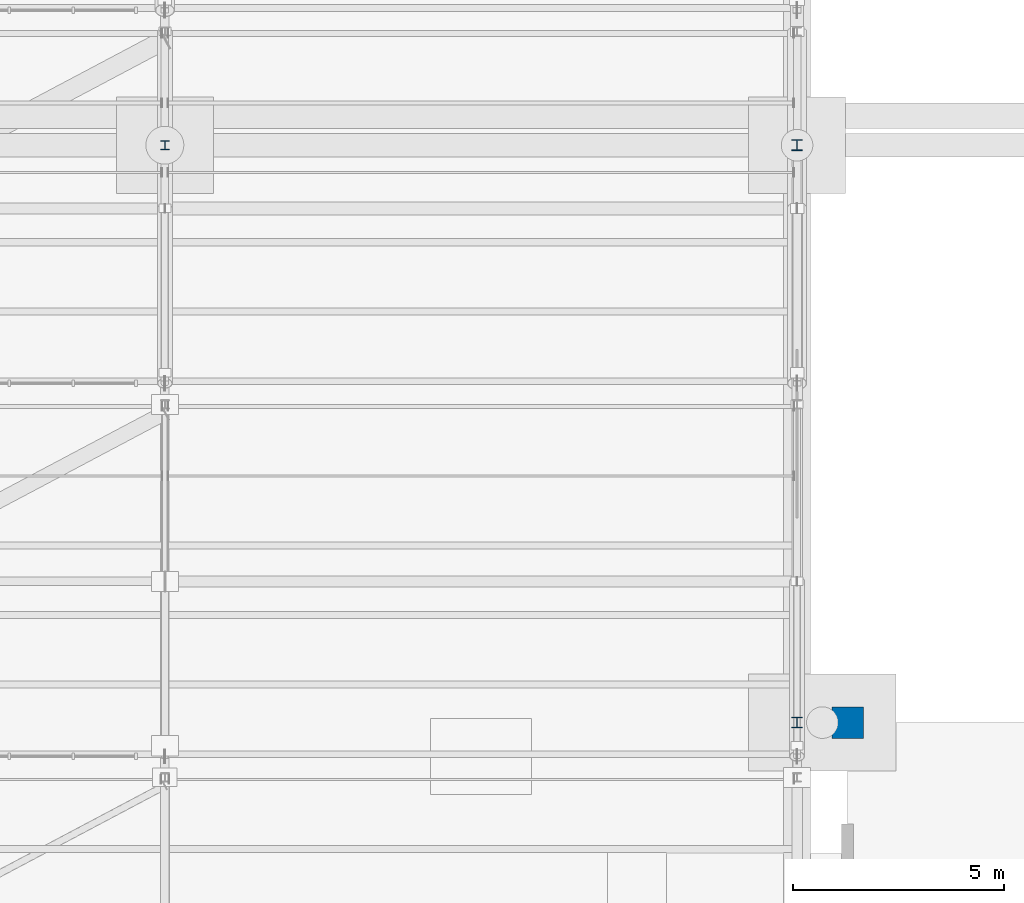
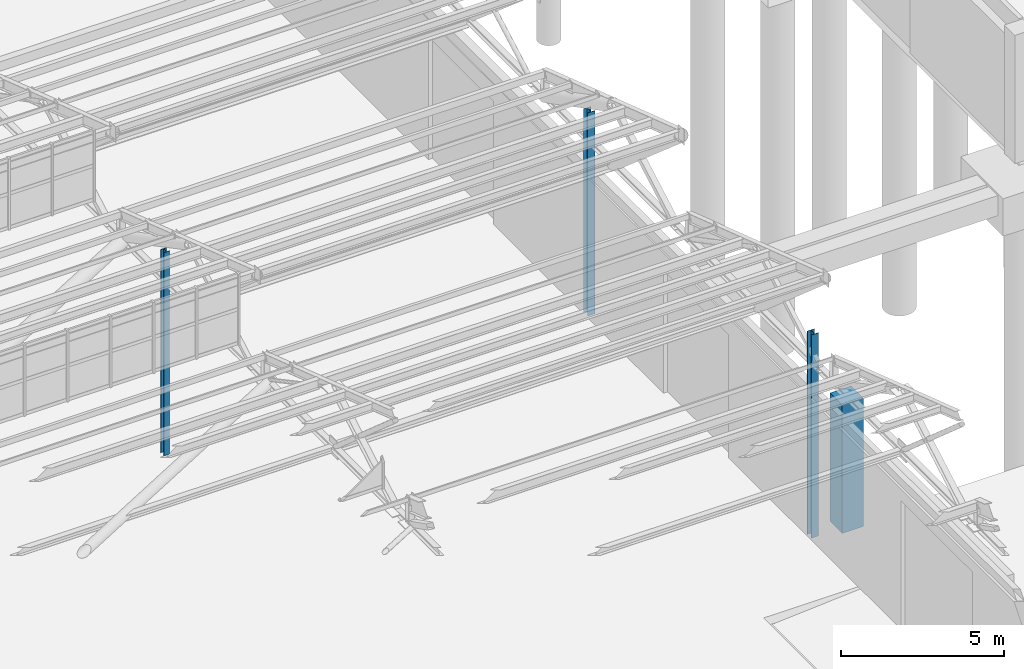
# One storey, part 32 of 285: 4 columns.
"""IFC4 building model written with IfcOpenShell, lengths in metres."""

from ifc_helpers import new_model, si_unit, direction, frame, origin, origin_2d, place, context, subcontext, project, spatial, rectangle, i_section, extrude, material, material_profile, profile_set, type_object, element, save


model = new_model("IFC4")

# Units and contexts
model_context = context("Model", 3, precision=1e-05, world=origin(), true_north=direction((0.0, 1.0)))
body_context = subcontext(model_context, "Body", "Model", "MODEL_VIEW")
ifc_project = project(units=[si_unit("LENGTHUNIT", "METRE"), si_unit("AREAUNIT", "SQUARE_METRE"), si_unit("VOLUMEUNIT", "CUBIC_METRE"), si_unit("PLANEANGLEUNIT", "RADIAN"), si_unit("MASSUNIT", "GRAM", prefix="KILO")], contexts=[model_context])

# Site, building, storey
site_placement = place(None, origin())
site = spatial("IfcSite", under=ifc_project, at=site_placement, CompositionType="ELEMENT")
building_placement = place(site_placement, origin())
building = spatial("IfcBuilding", under=site, at=building_placement, Name="Solanera Park Tramway Depot", CompositionType="ELEMENT")
storey_placement = place(building_placement, origin())
storey = spatial("IfcBuildingStorey", under=building, at=storey_placement, Name="L00", CompositionType="ELEMENT", Elevation=0.0)

# Columns
ifc_material_1 = material(Name="Concrete N40 (C40/50)", Category="concrete")
ifc_material_profile_1 = material_profile(ifc_material_1, rectangle(XDim=0.75, YDim=0.75, at=origin_2d()), Name="RC 750x750")
ifc_profile_set_1 = profile_set([ifc_material_profile_1], Name="Concrete N40 (C40/50)")
column_type_1 = type_object("IfcColumnType", Name="RC Column Ext RC 750x750", PredefinedType="COLUMN", material=ifc_profile_set_1)
column_1_placement = place(storey_placement, frame((151.199951171875, 100.800048828125, 0.0), z_axis=(0.0, 0.0, 1.0), x_axis=(1.0, 0.0, 0.0)))
element("IfcColumn", 1, at=column_1_placement, inside=storey, type_object=column_type_1, Name="L00 Column V4-X1512-Y1008", PredefinedType="COLUMN", context=body_context, shape_type="SweptSolid", body=[
    extrude(rectangle(XDim=0.75, YDim=0.75, at=origin_2d()), origin(), (0.0, 0.0, 1.0), 4.800048828125),
])
ifc_material_2 = material(Name="Steel AS/NZS 3679.1 Grade 350", Category="steel")
ifc_material_profile_2 = material_profile(ifc_material_2, i_section(OverallWidth=0.25390625, OverallDepth=0.25390625, WebThickness=0.008544921875, FlangeThickness=0.01416015625, at=origin_2d()), Name="250UC72.9")
ifc_profile_set_2 = profile_set([ifc_material_profile_2], Name="Steel AS/NZS 3679.1 Grade 350")
column_type_2 = type_object("IfcColumnType", Name="Steel Column Ext 250UC72.9", PredefinedType="COLUMN", material=ifc_profile_set_2)
column_2_placement = place(storey_placement, frame((150.0, 100.800048828125, 0.0), z_axis=(0.0, 0.0, 1.0), x_axis=(1.0, 0.0, 0.0)))
element("IfcColumn", 2, at=column_2_placement, inside=storey, type_object=column_type_2, Name="L00 Column V1S-X1500-Y1008", PredefinedType="COLUMN", context=body_context, shape_type="SweptSolid", body=[
    extrude(i_section(OverallWidth=0.25390625, OverallDepth=0.25390625, WebThickness=0.008544921875, FlangeThickness=0.01416015625, at=origin_2d()), origin(), (0.0, 0.0, 1.0), 7.60009765625),
])
ifc_material_3 = material(Name="Steel AS/NZS 3679.1 Grade 350", Category="steel")
ifc_material_profile_3 = material_profile(ifc_material_3, i_section(OverallWidth=0.255615234375, OverallDepth=0.260009765625, WebThickness=0.010498046875, FlangeThickness=0.017333984375, at=origin_2d()), Name="250UC89.5")
ifc_profile_set_3 = profile_set([ifc_material_profile_3], Name="Steel AS/NZS 3679.1 Grade 350")
column_type_3 = type_object("IfcColumnType", Name="Steel Column Ext 250UC89.5", PredefinedType="COLUMN", material=ifc_profile_set_3)
column_3_placement = place(storey_placement, frame((150.0, 114.5, 0.0), z_axis=(0.0, 0.0, 1.0), x_axis=(1.0, 0.0, 0.0)))
element("IfcColumn", 3, at=column_3_placement, inside=storey, type_object=column_type_3, Name="L00 Column V1-X1500-Y1145", PredefinedType="COLUMN", context=body_context, shape_type="SweptSolid", body=[
    extrude(i_section(OverallWidth=0.255615234375, OverallDepth=0.260009765625, WebThickness=0.010498046875, FlangeThickness=0.017333984375, at=origin_2d()), origin(), (0.0, 0.0, 1.0), 7.60009765625),
])
ifc_material_4 = material(Name="Steel AS/NZS 3679.1 Grade 350", Category="steel")
ifc_material_profile_4 = material_profile(ifc_material_4, i_section(OverallWidth=0.203369140625, OverallDepth=0.203369140625, WebThickness=0.00732421875, FlangeThickness=0.010986328125, at=origin_2d()), Name="200UC46.2")
ifc_profile_set_4 = profile_set([ifc_material_profile_4], Name="Steel AS/NZS 3679.1 Grade 350")
column_type_4 = type_object("IfcColumnType", Name="Steel Column Int 200UC46.2", PredefinedType="COLUMN", material=ifc_profile_set_4)
column_4_placement = place(storey_placement, frame((135.0, 114.5, 0.0), z_axis=(0.0, 0.0, 1.0), x_axis=(1.0, 0.0, 0.0)))
element("IfcColumn", 4, at=column_4_placement, inside=storey, type_object=column_type_4, Name="L00 Column V1-X1350-Y1145", PredefinedType="COLUMN", context=body_context, shape_type="SweptSolid", body=[
    extrude(i_section(OverallWidth=0.203369140625, OverallDepth=0.203369140625, WebThickness=0.00732421875, FlangeThickness=0.010986328125, at=origin_2d()), origin(), (0.0, 0.0, 1.0), 7.60009765625),
])

save(model, "model.ifc")
